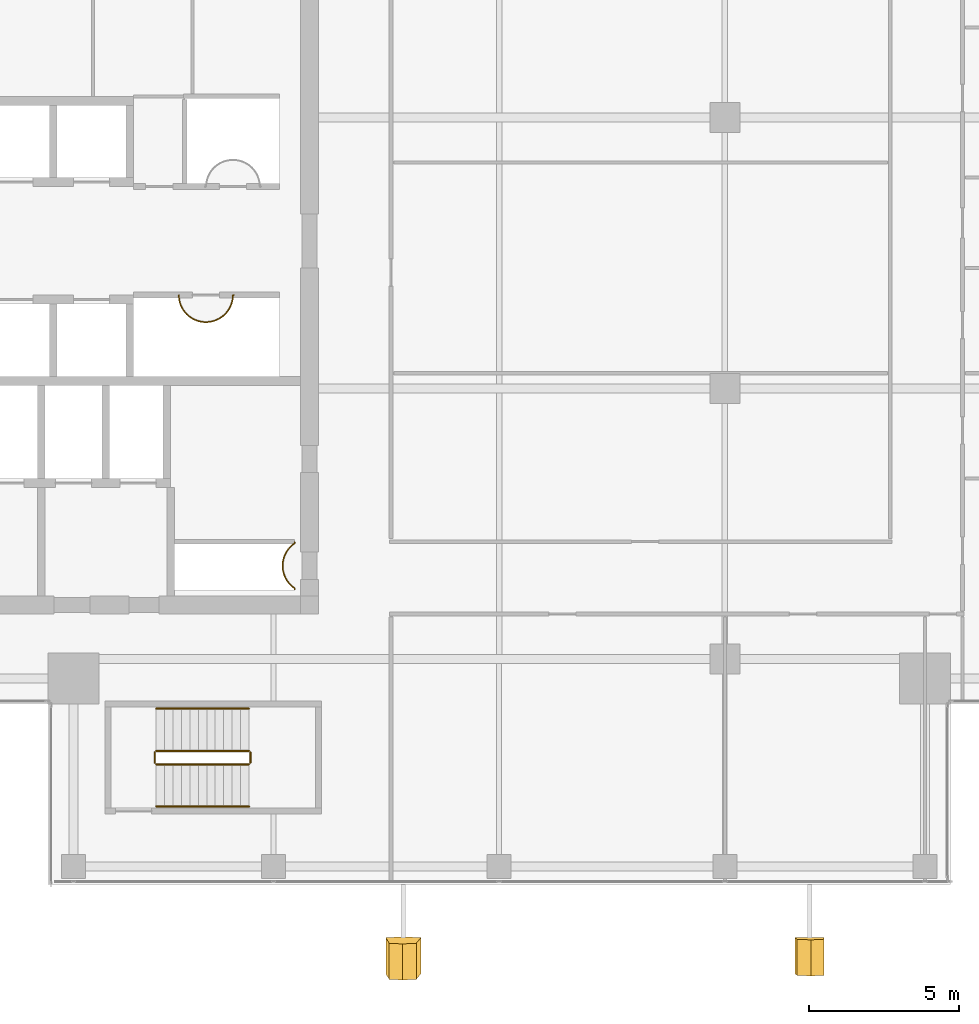
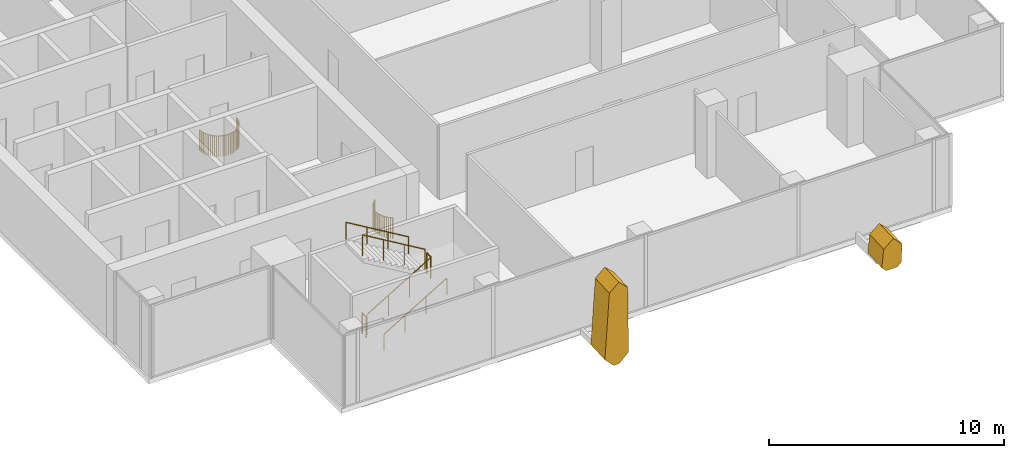
# One storey, part 26 of 28: 8 railings, 2 coverings.
"""IFC4 building model written with IfcOpenShell, lengths in metres."""

from ifc_helpers import new_model, si_unit, direction, frame, origin, origin_2d, place, context, subcontext, project, spatial, polyline, circle, outline, extrude, source, transform, mapped, material, layer, layer_set, type_object, element, save


model = new_model("IFC4")

# Units and contexts
model_context = context("Model", 3, precision=1e-05, world=origin(), true_north=direction((0.0, 1.0)))
body_context = subcontext(model_context, "Body", "Model", "MODEL_VIEW")
ifc_project = project(units=[si_unit("LENGTHUNIT", "METRE"), si_unit("AREAUNIT", "SQUARE_METRE"), si_unit("VOLUMEUNIT", "CUBIC_METRE"), si_unit("PLANEANGLEUNIT", "RADIAN"), si_unit("MASSUNIT", "GRAM", prefix="KILO")], contexts=[model_context])

# Site, building, storey
site_placement = place(None, origin())
site = spatial("IfcSite", under=ifc_project, at=site_placement, CompositionType="ELEMENT")
building_placement = place(site_placement, origin())
building = spatial("IfcBuilding", under=site, at=building_placement, Name="Khomas Fold Tower", CompositionType="ELEMENT")
storey_placement = place(building_placement, frame((0.0, 0.0, 298.199951171875)))
storey = spatial("IfcBuildingStorey", under=building, at=storey_placement, Name="L67", CompositionType="ELEMENT", Elevation=298.199951171875)

# Coverings
ifc_material_1 = material(Name="Natural stone cladding", Category="masonry")
ifc_layer = layer(ifc_material_1, 1.199951171875)
ifc_layer_set = layer_set([ifc_layer], Name="Natural stone cladding")
covering_type = type_object("IfcCoveringType", Name="SK-Karibib marble stone panel", PredefinedType="CLADDING", material=ifc_layer_set)
covering_1_placement = place(storey_placement, frame((23.79248046875, 4.029296875, 4.429931640625), z_axis=(-4.988375e-06, 0.998630546255, 0.052316651866), x_axis=(0.723436336473, 0.036122554512, -0.68944544971)))
element("IfcCovering", 1, at=covering_1_placement, inside=storey, type_object=covering_type, Name="OUTER SKIN leaf L67 SS06-1", PredefinedType="CLADDING", context=body_context, shape_type="SweptSolid", body=[
    extrude(outline(polyline([(0.0, 0.0), (0.6246635326342458, 0.0), (3.174430042252059, 2.452915026354553), (3.1735005502021334, 3.1033211575790123), (2.9820442541237004, 3.286032082707687), (2.335335241826506, 3.2601023937827085), (-0.022453409671210123, 0.6243157156417014), (0.0, 0.0)])), origin(), (0.0, 0.0, -1.0), 1.199951171875),
])
covering_2_placement = place(storey_placement, frame((36.901123046875, 4.185546875, 1.449462890625), z_axis=(2.607305e-05, 0.998633894051, 0.052252703022), x_axis=(0.742214364043, -0.035037129836, 0.669246021536)))
element("IfcCovering", 2, at=covering_2_placement, inside=storey, type_object=covering_type, Name="OUTER SKIN leaf L67 SS12-2", PredefinedType="CLADDING", context=body_context, shape_type="SweptSolid", body=[
    extrude(outline(polyline([(0.0, 0.0), (0.6256352512276404, 0.0), (0.6463852011137029, 0.6254742231553949), (-0.0035541673697553344, 1.3452911422729772), (-0.28614514695270443, 1.3599023908330456), (-0.6943992881119926, 0.9912802681351525), (-0.6994167997611737, 0.675159787864991), (0.0, 0.0)])), origin(), (0.0, 0.0, -1.0), 1.199951171875),
])

# Railings
ifc_material_2 = material(Name="Steel balustrade", Category="steel")
railing_type_1 = type_object("IfcRailingType", Name="Stair guard", PredefinedType="GUARDRAIL", material=ifc_material_2)
shared_shape_1 = source(origin(), body_context, "Body", "SweptSolid", [
    extrude(circle(Radius=0.02392578125, at=origin_2d()), frame((0.0, 0.0, 1.076171875), z_axis=(0.0, 1.0, 0.0), x_axis=(-1.0, 0.0, 0.0)), (0.0, 0.0, 1.0), 0.349853515625),
    extrude(circle(Radius=0.02099609375, at=origin_2d()), origin(), (0.0, 0.0, 1.0), 1.052001953125),
    extrude(circle(Radius=0.02099609375, at=origin_2d()), frame((0.0, 0.349853515625, 0.0)), (0.0, 0.0, 1.0), 1.052001953125),
])
for number, where, name in (
    (3, (18.72998046875, 10.050048828125, 2.0), "L67 ST2 stair guard 2"),
    (4, (15.550048828125, 10.050048828125, 0.0), "L67 ST2 stair guard 4"),
):
    element("IfcRailing", number, at=place(storey_placement, frame(where)), inside=storey, type_object=railing_type_1, Name=name, PredefinedType="GUARDRAIL", context=body_context, shape_type="MappedRepresentation", body=[
        mapped(shared_shape_1, transform((0.0, 0.0, 0.0))),
    ])
shared_shape_2 = source(origin(), body_context, "Body", "SweptSolid", [
    extrude(circle(Radius=0.02392578125, at=origin_2d()), frame((0.0, 0.0, 1.076171875), z_axis=(0.859290745958, 0.0, 0.51148745235), x_axis=(0.0, 1.0, 0.0)), (0.0, 0.0, 1.0), 3.584228515625),
    extrude(circle(Radius=0.02099609375, at=origin_2d()), origin(), (0.0, 0.0, 1.0), 1.052001953125),
    extrude(circle(Radius=0.02099609375, at=origin_2d()), frame((1.026611328125, 0.0, 0.611083984375)), (0.0, 0.0, 1.0), 1.052001953125),
    extrude(circle(Radius=0.02099609375, at=origin_2d()), frame((2.05322265625, 0.0, 1.22216796875)), (0.0, 0.0, 1.0), 1.052001953125),
    extrude(circle(Radius=0.02099609375, at=origin_2d()), frame((3.079833984375, 0.0, 1.833251953125)), (0.0, 0.0, 1.0), 1.052001953125),
])
railing_1_placement = place(storey_placement, frame((15.60009765625, 10.0, 0.166748046875)))
element("IfcRailing", 5, at=railing_1_placement, inside=storey, type_object=railing_type_1, Name="L67 ST2 stair guard 1", PredefinedType="GUARDRAIL", context=body_context, shape_type="MappedRepresentation", body=[
    mapped(shared_shape_2, transform((0.0, 0.0, 0.0))),
])
shared_shape_3 = source(origin(), body_context, "Body", "SweptSolid", [
    extrude(circle(Radius=0.02392578125, at=origin_2d()), frame((0.0, 0.0, 1.076171875), z_axis=(-0.859290745958, 0.0, 0.51148745235), x_axis=(0.0, -1.0, 0.0)), (0.0, 0.0, 1.0), 3.584228515625),
    extrude(circle(Radius=0.02099609375, at=origin_2d()), origin(), (0.0, 0.0, 1.0), 1.052001953125),
    extrude(circle(Radius=0.02099609375, at=origin_2d()), frame((-1.026611328125, 0.0, 0.611083984375)), (0.0, 0.0, 1.0), 1.052001953125),
    extrude(circle(Radius=0.02099609375, at=origin_2d()), frame((-2.05322265625, 0.0, 1.22216796875)), (0.0, 0.0, 1.0), 1.052001953125),
    extrude(circle(Radius=0.02099609375, at=origin_2d()), frame((-3.079833984375, 0.0, 1.833251953125)), (0.0, 0.0, 1.0), 1.052001953125),
])
railing_2_placement = place(storey_placement, frame((18.679931640625, 10.449951171875, 2.166748046875)))
element("IfcRailing", 6, at=railing_2_placement, inside=storey, type_object=railing_type_1, Name="L67 ST2 stair guard 3", PredefinedType="GUARDRAIL", context=body_context, shape_type="MappedRepresentation", body=[
    mapped(shared_shape_3, transform((0.0, 0.0, 0.0))),
])
ifc_material_3 = material(Name="Steel handrail", Category="steel")
railing_type_2 = type_object("IfcRailingType", Name="Stair handrail", PredefinedType="HANDRAIL", material=ifc_material_3)
shared_shape_4 = source(origin(), body_context, "Body", "SweptSolid", [
    extrude(circle(Radius=0.02392578125, at=origin_2d()), frame((0.0, 0.0, 0.8759765625), z_axis=(0.859290745958, 0.0, 0.51148745235), x_axis=(0.0, 1.0, 0.0)), (0.0, 0.0, 1.0), 3.584228515625),
    extrude(circle(Radius=0.02099609375, at=origin_2d()), origin(), (0.0, 0.0, 1.0), 0.851806640625),
    extrude(circle(Radius=0.02099609375, at=origin_2d()), frame((1.026611328125, 0.0, 0.611083984375)), (0.0, 0.0, 1.0), 0.851806640625),
    extrude(circle(Radius=0.02099609375, at=origin_2d()), frame((2.05322265625, 0.0, 1.22216796875)), (0.0, 0.0, 1.0), 0.851806640625),
    extrude(circle(Radius=0.02099609375, at=origin_2d()), frame((3.079833984375, 0.0, 1.833251953125)), (0.0, 0.0, 1.0), 0.851806640625),
])
railing_3_placement = place(storey_placement, frame((15.60009765625, 8.60009765625, 0.166748046875)))
element("IfcRailing", 7, at=railing_3_placement, inside=storey, type_object=railing_type_2, Name="L67 ST2 stair handrail 1", PredefinedType="HANDRAIL", context=body_context, shape_type="MappedRepresentation", body=[
    mapped(shared_shape_4, transform((0.0, 0.0, 0.0))),
])
shared_shape_5 = source(origin(), body_context, "Body", "SweptSolid", [
    extrude(circle(Radius=0.02392578125, at=origin_2d()), frame((0.0, 0.0, 0.8759765625), z_axis=(-0.859290745958, 0.0, 0.51148745235), x_axis=(0.0, -1.0, 0.0)), (0.0, 0.0, 1.0), 3.584228515625),
    extrude(circle(Radius=0.02099609375, at=origin_2d()), origin(), (0.0, 0.0, 1.0), 0.851806640625),
    extrude(circle(Radius=0.02099609375, at=origin_2d()), frame((-1.026611328125, 0.0, 0.611083984375)), (0.0, 0.0, 1.0), 0.851806640625),
    extrude(circle(Radius=0.02099609375, at=origin_2d()), frame((-2.05322265625, 0.0, 1.22216796875)), (0.0, 0.0, 1.0), 0.851806640625),
    extrude(circle(Radius=0.02099609375, at=origin_2d()), frame((-3.079833984375, 0.0, 1.833251953125)), (0.0, 0.0, 1.0), 0.851806640625),
])
railing_4_placement = place(storey_placement, frame((18.679931640625, 11.85009765625, 2.166748046875)))
element("IfcRailing", 8, at=railing_4_placement, inside=storey, type_object=railing_type_2, Name="L67 ST2 stair handrail 2", PredefinedType="HANDRAIL", context=body_context, shape_type="MappedRepresentation", body=[
    mapped(shared_shape_5, transform((0.0, 0.0, 0.0))),
])
ifc_material_4 = material(Name="Steel balustrade", Category="steel")
railing_type_3 = type_object("IfcRailingType", Name="Shaft guard", PredefinedType="GUARDRAIL", material=ifc_material_4)
shared_shape_6 = source(origin(), body_context, "Body", "SweptSolid", [
    extrude(circle(Radius=0.02490234375, at=origin_2d()), frame((0.0, 0.0, 1.0751953125), z_axis=(0.046909628002, -0.998899137451, 0.0), x_axis=(0.998899137451, 0.046909628002, 0.0)), (0.0, 0.0, 1.0), 0.08837890625),
    extrude(circle(Radius=0.02490234375, at=origin_2d()), frame((0.004150390625, -0.08837890625, 1.0751953125), z_axis=(0.146448518259, -0.989218293148, 0.0), x_axis=(0.989218293148, 0.146448518259, 0.0)), (0.0, 0.0, 1.0), 0.08837890625),
    extrude(circle(Radius=0.02490234375, at=origin_2d()), frame((0.01708984375, -0.17578125, 1.0751953125), z_axis=(0.245783216939, -0.969324821859, 0.0), x_axis=(0.969324821859, 0.245783216939, 0.0)), (0.0, 0.0, 1.0), 0.08837890625),
    extrude(circle(Radius=0.02490234375, at=origin_2d()), frame((0.038818359375, -0.261474609375, 1.0751953125), z_axis=(0.335282981086, -0.942117467514, 0.0), x_axis=(0.942117467514, 0.335282981086, 0.0)), (0.0, 0.0, 1.0), 0.088134765625),
    extrude(circle(Radius=0.02490234375, at=origin_2d()), frame((0.068359375, -0.344482421875, 1.0751953125), z_axis=(0.428323905606, -0.903625271828, 0.0), x_axis=(0.903625271828, 0.428323905606, 0.0)), (0.0, 0.0, 1.0), 0.08837890625),
    extrude(circle(Radius=0.02490234375, at=origin_2d()), frame((0.106201171875, -0.42431640625, 1.0751953125), z_axis=(0.514495755428, -0.857492925713, 0.0), x_axis=(0.857492925713, 0.514495755428, 0.0)), (0.0, 0.0, 1.0), 0.08837890625),
    extrude(circle(Radius=0.02490234375, at=origin_2d()), frame((0.151611328125, -0.5, 1.0751953125), z_axis=(0.594235623595, -0.804291006819, 0.0), x_axis=(0.804291006819, 0.594235623595, 0.0)), (0.0, 0.0, 1.0), 0.08837890625),
    extrude(circle(Radius=0.02490234375, at=origin_2d()), frame((0.2041015625, -0.571044921875, 1.0751953125), z_axis=(0.671709119666, -0.740814996175, 0.0), x_axis=(0.740814996175, 0.671709119666, 0.0)), (0.0, 0.0, 1.0), 0.08837890625),
    extrude(circle(Radius=0.02490234375, at=origin_2d()), frame((0.263427734375, -0.636474609375, 1.0751953125), z_axis=(0.740814996175, -0.671709119666, 0.0), x_axis=(0.671709119666, 0.740814996175, 0.0)), (0.0, 0.0, 1.0), 0.08837890625),
    extrude(circle(Radius=0.02490234375, at=origin_2d()), frame((0.328857421875, -0.69580078125, 1.0751953125), z_axis=(0.804291006819, -0.594235623595, 0.0), x_axis=(0.594235623595, 0.804291006819, 0.0)), (0.0, 0.0, 1.0), 0.08837890625),
    extrude(circle(Radius=0.02490234375, at=origin_2d()), frame((0.39990234375, -0.748291015625, 1.0751953125), z_axis=(0.857492925713, -0.514495755428, 0.0), x_axis=(0.514495755428, 0.857492925713, 0.0)), (0.0, 0.0, 1.0), 0.08837890625),
    extrude(circle(Radius=0.02490234375, at=origin_2d()), frame((0.4755859375, -0.793701171875, 1.0751953125), z_axis=(0.903625271828, -0.428323905606, 0.0), x_axis=(0.428323905606, 0.903625271828, 0.0)), (0.0, 0.0, 1.0), 0.08837890625),
    extrude(circle(Radius=0.02490234375, at=origin_2d()), frame((0.555419921875, -0.83154296875, 1.0751953125), z_axis=(0.941554356589, -0.336861089454, 0.0), x_axis=(0.336861089454, 0.941554356589, 0.0)), (0.0, 0.0, 1.0), 0.08837890625),
    extrude(circle(Radius=0.02490234375, at=origin_2d()), frame((0.638671875, -0.861328125, 1.0751953125), z_axis=(0.969979724887, -0.243185799972, 0.0), x_axis=(0.243185799972, 0.969979724887, 0.0)), (0.0, 0.0, 1.0), 0.08837890625),
    extrude(circle(Radius=0.02490234375, at=origin_2d()), frame((0.724365234375, -0.8828125, 1.0751953125), z_axis=(0.989218293148, -0.146448518259, 0.0), x_axis=(0.146448518259, 0.989218293148, 0.0)), (0.0, 0.0, 1.0), 0.08837890625),
    extrude(circle(Radius=0.02490234375, at=origin_2d()), frame((0.811767578125, -0.895751953125, 1.0751953125), z_axis=(0.998759228712, -0.049799629132, 0.0), x_axis=(0.049799629132, 0.998759228712, 0.0)), (0.0, 0.0, 1.0), 0.088134765625),
    extrude(circle(Radius=0.02490234375, at=origin_2d()), frame((0.89990234375, -0.900146484375, 1.0751953125), z_axis=(0.998759228712, 0.049799629132, 0.0), x_axis=(-0.049799629132, 0.998759228712, 0.0)), (0.0, 0.0, 1.0), 0.088134765625),
    extrude(circle(Radius=0.02490234375, at=origin_2d()), frame((0.988037109375, -0.895751953125, 1.0751953125), z_axis=(0.989218293148, 0.146448518259, 0.0), x_axis=(-0.146448518259, 0.989218293148, 0.0)), (0.0, 0.0, 1.0), 0.08837890625),
    extrude(circle(Radius=0.02490234375, at=origin_2d()), frame((1.075439453125, -0.8828125, 1.0751953125), z_axis=(0.969979724887, 0.243185799972, 0.0), x_axis=(-0.243185799972, 0.969979724887, 0.0)), (0.0, 0.0, 1.0), 0.08837890625),
    extrude(circle(Radius=0.02490234375, at=origin_2d()), frame((1.1611328125, -0.861328125, 1.0751953125), z_axis=(0.941554356589, 0.336861089454, 0.0), x_axis=(-0.336861089454, 0.941554356589, 0.0)), (0.0, 0.0, 1.0), 0.08837890625),
    extrude(circle(Radius=0.02490234375, at=origin_2d()), frame((1.244384765625, -0.83154296875, 1.0751953125), z_axis=(0.903625271828, 0.428323905606, 0.0), x_axis=(-0.428323905606, 0.903625271828, 0.0)), (0.0, 0.0, 1.0), 0.08837890625),
    extrude(circle(Radius=0.02490234375, at=origin_2d()), frame((1.32421875, -0.793701171875, 1.0751953125), z_axis=(0.857492925713, 0.514495755428, 0.0), x_axis=(-0.514495755428, 0.857492925713, 0.0)), (0.0, 0.0, 1.0), 0.08837890625),
    extrude(circle(Radius=0.02490234375, at=origin_2d()), frame((1.39990234375, -0.748291015625, 1.0751953125), z_axis=(0.804291006819, 0.594235623595, 0.0), x_axis=(-0.594235623595, 0.804291006819, 0.0)), (0.0, 0.0, 1.0), 0.08837890625),
    extrude(circle(Radius=0.02490234375, at=origin_2d()), frame((1.470947265625, -0.69580078125, 1.0751953125), z_axis=(0.740814996175, 0.671709119666, 0.0), x_axis=(-0.671709119666, 0.740814996175, 0.0)), (0.0, 0.0, 1.0), 0.08837890625),
    extrude(circle(Radius=0.02490234375, at=origin_2d()), frame((1.536376953125, -0.636474609375, 1.0751953125), z_axis=(0.671709119666, 0.740814996175, 0.0), x_axis=(-0.740814996175, 0.671709119666, 0.0)), (0.0, 0.0, 1.0), 0.08837890625),
    extrude(circle(Radius=0.02490234375, at=origin_2d()), frame((1.595703125, -0.571044921875, 1.0751953125), z_axis=(0.594235623595, 0.804291006819, 0.0), x_axis=(-0.804291006819, 0.594235623595, 0.0)), (0.0, 0.0, 1.0), 0.08837890625),
    extrude(circle(Radius=0.02490234375, at=origin_2d()), frame((1.648193359375, -0.5, 1.0751953125), z_axis=(0.514495755428, 0.857492925713, 0.0), x_axis=(-0.857492925713, 0.514495755428, 0.0)), (0.0, 0.0, 1.0), 0.08837890625),
    extrude(circle(Radius=0.02490234375, at=origin_2d()), frame((1.693603515625, -0.42431640625, 1.0751953125), z_axis=(0.428323905606, 0.903625271828, 0.0), x_axis=(-0.903625271828, 0.428323905606, 0.0)), (0.0, 0.0, 1.0), 0.08837890625),
    extrude(circle(Radius=0.02490234375, at=origin_2d()), frame((1.7314453125, -0.344482421875, 1.0751953125), z_axis=(0.335282981086, 0.942117467514, 0.0), x_axis=(-0.942117467514, 0.335282981086, 0.0)), (0.0, 0.0, 1.0), 0.088134765625),
    extrude(circle(Radius=0.02490234375, at=origin_2d()), frame((1.760986328125, -0.261474609375, 1.0751953125), z_axis=(0.245783216939, 0.969324821859, 0.0), x_axis=(-0.969324821859, 0.245783216939, 0.0)), (0.0, 0.0, 1.0), 0.08837890625),
    extrude(circle(Radius=0.02490234375, at=origin_2d()), frame((1.78271484375, -0.17578125, 1.0751953125), z_axis=(0.146448518259, 0.989218293148, 0.0), x_axis=(-0.989218293148, 0.146448518259, 0.0)), (0.0, 0.0, 1.0), 0.08837890625),
    extrude(circle(Radius=0.02490234375, at=origin_2d()), frame((1.795654296875, -0.08837890625, 1.0751953125), z_axis=(0.046909628002, 0.998899137451, 0.0), x_axis=(-0.998899137451, 0.046909628002, 0.0)), (0.0, 0.0, 1.0), 0.08837890625),
    extrude(circle(Radius=0.02490234375, at=origin_2d()), frame((1.7998046875, 0.0, 1.0751953125), z_axis=(1.0, 0.0, 0.0), x_axis=(0.0, 1.0, 0.0)), (0.0, 0.0, 1.0), 0.030029296875),
    extrude(circle(Radius=0.02001953125, at=origin_2d()), origin(), (0.0, 0.0, 1.0), 1.050048828125),
    extrude(circle(Radius=0.02001953125, at=origin_2d()), frame((0.004150390625, -0.08837890625, 0.0)), (0.0, 0.0, 1.0), 1.050048828125),
    extrude(circle(Radius=0.02001953125, at=origin_2d()), frame((0.01708984375, -0.17578125, 0.0)), (0.0, 0.0, 1.0), 1.050048828125),
    extrude(circle(Radius=0.02001953125, at=origin_2d()), frame((0.038818359375, -0.261474609375, 0.0)), (0.0, 0.0, 1.0), 1.050048828125),
    extrude(circle(Radius=0.02001953125, at=origin_2d()), frame((0.068359375, -0.344482421875, 0.0)), (0.0, 0.0, 1.0), 1.050048828125),
    extrude(circle(Radius=0.02001953125, at=origin_2d()), frame((0.106201171875, -0.42431640625, 0.0)), (0.0, 0.0, 1.0), 1.050048828125),
    extrude(circle(Radius=0.02001953125, at=origin_2d()), frame((0.151611328125, -0.5, 0.0)), (0.0, 0.0, 1.0), 1.050048828125),
    extrude(circle(Radius=0.02001953125, at=origin_2d()), frame((0.2041015625, -0.571044921875, 0.0)), (0.0, 0.0, 1.0), 1.050048828125),
    extrude(circle(Radius=0.02001953125, at=origin_2d()), frame((0.263427734375, -0.636474609375, 0.0)), (0.0, 0.0, 1.0), 1.050048828125),
    extrude(circle(Radius=0.02001953125, at=origin_2d()), frame((0.328857421875, -0.69580078125, 0.0)), (0.0, 0.0, 1.0), 1.050048828125),
    extrude(circle(Radius=0.02001953125, at=origin_2d()), frame((0.39990234375, -0.748291015625, 0.0)), (0.0, 0.0, 1.0), 1.050048828125),
    extrude(circle(Radius=0.02001953125, at=origin_2d()), frame((0.4755859375, -0.793701171875, 0.0)), (0.0, 0.0, 1.0), 1.050048828125),
    extrude(circle(Radius=0.02001953125, at=origin_2d()), frame((0.555419921875, -0.83154296875, 0.0)), (0.0, 0.0, 1.0), 1.050048828125),
    extrude(circle(Radius=0.02001953125, at=origin_2d()), frame((0.638671875, -0.861328125, 0.0)), (0.0, 0.0, 1.0), 1.050048828125),
    extrude(circle(Radius=0.02001953125, at=origin_2d()), frame((0.724365234375, -0.8828125, 0.0)), (0.0, 0.0, 1.0), 1.050048828125),
    extrude(circle(Radius=0.02001953125, at=origin_2d()), frame((0.811767578125, -0.895751953125, 0.0)), (0.0, 0.0, 1.0), 1.050048828125),
    extrude(circle(Radius=0.02001953125, at=origin_2d()), frame((0.89990234375, -0.900146484375, 0.0)), (0.0, 0.0, 1.0), 1.050048828125),
    extrude(circle(Radius=0.02001953125, at=origin_2d()), frame((0.988037109375, -0.895751953125, 0.0)), (0.0, 0.0, 1.0), 1.050048828125),
    extrude(circle(Radius=0.02001953125, at=origin_2d()), frame((1.075439453125, -0.8828125, 0.0)), (0.0, 0.0, 1.0), 1.050048828125),
    extrude(circle(Radius=0.02001953125, at=origin_2d()), frame((1.1611328125, -0.861328125, 0.0)), (0.0, 0.0, 1.0), 1.050048828125),
    extrude(circle(Radius=0.02001953125, at=origin_2d()), frame((1.244384765625, -0.83154296875, 0.0)), (0.0, 0.0, 1.0), 1.050048828125),
    extrude(circle(Radius=0.02001953125, at=origin_2d()), frame((1.32421875, -0.793701171875, 0.0)), (0.0, 0.0, 1.0), 1.050048828125),
    extrude(circle(Radius=0.02001953125, at=origin_2d()), frame((1.39990234375, -0.748291015625, 0.0)), (0.0, 0.0, 1.0), 1.050048828125),
    extrude(circle(Radius=0.02001953125, at=origin_2d()), frame((1.470947265625, -0.69580078125, 0.0)), (0.0, 0.0, 1.0), 1.050048828125),
    extrude(circle(Radius=0.02001953125, at=origin_2d()), frame((1.536376953125, -0.636474609375, 0.0)), (0.0, 0.0, 1.0), 1.050048828125),
    extrude(circle(Radius=0.02001953125, at=origin_2d()), frame((1.595703125, -0.571044921875, 0.0)), (0.0, 0.0, 1.0), 1.050048828125),
    extrude(circle(Radius=0.02001953125, at=origin_2d()), frame((1.648193359375, -0.5, 0.0)), (0.0, 0.0, 1.0), 1.050048828125),
    extrude(circle(Radius=0.02001953125, at=origin_2d()), frame((1.693603515625, -0.42431640625, 0.0)), (0.0, 0.0, 1.0), 1.050048828125),
    extrude(circle(Radius=0.02001953125, at=origin_2d()), frame((1.7314453125, -0.344482421875, 0.0)), (0.0, 0.0, 1.0), 1.050048828125),
    extrude(circle(Radius=0.02001953125, at=origin_2d()), frame((1.760986328125, -0.261474609375, 0.0)), (0.0, 0.0, 1.0), 1.050048828125),
    extrude(circle(Radius=0.02001953125, at=origin_2d()), frame((1.78271484375, -0.17578125, 0.0)), (0.0, 0.0, 1.0), 1.050048828125),
    extrude(circle(Radius=0.02001953125, at=origin_2d()), frame((1.795654296875, -0.08837890625, 0.0)), (0.0, 0.0, 1.0), 1.050048828125),
    extrude(circle(Radius=0.02001953125, at=origin_2d()), frame((1.7998046875, 0.0, 0.0)), (0.0, 0.0, 1.0), 1.050048828125),
    extrude(circle(Radius=0.02001953125, at=origin_2d()), frame((1.829833984375, 0.0, 0.0)), (0.0, 0.0, 1.0), 1.050048828125),
])
railing_5_placement = place(storey_placement, frame((16.35009765625, 25.60009765625, 0.0)))
element("IfcRailing", 9, at=railing_5_placement, inside=storey, type_object=railing_type_3, Name="Shaft guard L67 2", PredefinedType="GUARDRAIL", context=body_context, shape_type="MappedRepresentation", body=[
    mapped(shared_shape_6, transform((0.0, 0.0, 0.0))),
])
shared_shape_7 = source(origin(), body_context, "Body", "SweptSolid", [
    extrude(circle(Radius=0.02490234375, at=origin_2d()), frame((0.0, 0.0, 1.0751953125), z_axis=(0.0, -1.0, 0.0), x_axis=(1.0, 0.0, 0.0)), (0.0, 0.0, 1.0), 0.034912109375),
    extrude(circle(Radius=0.02490234375, at=origin_2d()), frame((0.0, -0.034912109375, 1.0751953125), z_axis=(-0.802970227885, -0.596019138224, 0.0), x_axis=(0.596019138224, -0.802970227885, 0.0)), (0.0, 0.0, 1.0), 0.08837890625),
    extrude(circle(Radius=0.02490234375, at=origin_2d()), frame((-0.071044921875, -0.087646484375, 1.0751953125), z_axis=(-0.739563952942, -0.673086294251, 0.0), x_axis=(0.673086294251, -0.739563952942, 0.0)), (0.0, 0.0, 1.0), 0.088134765625),
    extrude(circle(Radius=0.02490234375, at=origin_2d()), frame((-0.13623046875, -0.14697265625, 1.0751953125), z_axis=(-0.671709119666, -0.740814996175, 0.0), x_axis=(0.740814996175, -0.671709119666, 0.0)), (0.0, 0.0, 1.0), 0.08837890625),
    extrude(circle(Radius=0.02490234375, at=origin_2d()), frame((-0.195556640625, -0.21240234375, 1.0751953125), z_axis=(-0.597341843489, -0.801986734315, 0.0), x_axis=(0.801986734315, -0.597341843489, 0.0)), (0.0, 0.0, 1.0), 0.08837890625),
    extrude(circle(Radius=0.02490234375, at=origin_2d()), frame((-0.248291015625, -0.283203125, 1.0751953125), z_axis=(-0.514495755428, -0.857492925713, 0.0), x_axis=(0.857492925713, -0.514495755428, 0.0)), (0.0, 0.0, 1.0), 0.08837890625),
    extrude(circle(Radius=0.02490234375, at=origin_2d()), frame((-0.293701171875, -0.35888671875, 1.0751953125), z_axis=(-0.427256721383, -0.904130352346, 0.0), x_axis=(0.904130352346, -0.427256721383, 0.0)), (0.0, 0.0, 1.0), 0.088623046875),
    extrude(circle(Radius=0.02490234375, at=origin_2d()), frame((-0.33154296875, -0.43896484375, 1.0751953125), z_axis=(-0.335282981086, -0.942117467514, 0.0), x_axis=(0.942117467514, -0.335282981086, 0.0)), (0.0, 0.0, 1.0), 0.088134765625),
    extrude(circle(Radius=0.02490234375, at=origin_2d()), frame((-0.361083984375, -0.52197265625, 1.0751953125), z_axis=(-0.243185799972, -0.969979724887, 0.0), x_axis=(0.969979724887, -0.243185799972, 0.0)), (0.0, 0.0, 1.0), 0.08837890625),
    extrude(circle(Radius=0.02490234375, at=origin_2d()), frame((-0.382568359375, -0.607666015625, 1.0751953125), z_axis=(-0.149150785005, -0.988814463553, 0.0), x_axis=(0.988814463553, -0.149150785005, 0.0)), (0.0, 0.0, 1.0), 0.08837890625),
    extrude(circle(Radius=0.02490234375, at=origin_2d()), frame((-0.395751953125, -0.695068359375, 1.0751953125), z_axis=(-0.047039284441, -0.99889304018, 0.0), x_axis=(0.99889304018, -0.047039284441, 0.0)), (0.0, 0.0, 1.0), 0.088134765625),
    extrude(circle(Radius=0.02490234375, at=origin_2d()), frame((-0.39990234375, -0.783203125, 1.0751953125), z_axis=(0.046909628002, -0.998899137451, 0.0), x_axis=(0.998899137451, 0.046909628002, 0.0)), (0.0, 0.0, 1.0), 0.08837890625),
    extrude(circle(Radius=0.02490234375, at=origin_2d()), frame((-0.395751953125, -0.87158203125, 1.0751953125), z_axis=(0.149150785005, -0.988814463553, 0.0), x_axis=(0.988814463553, 0.149150785005, 0.0)), (0.0, 0.0, 1.0), 0.08837890625),
    extrude(circle(Radius=0.02490234375, at=origin_2d()), frame((-0.382568359375, -0.958984375, 1.0751953125), z_axis=(0.243185799972, -0.969979724887, 0.0), x_axis=(0.969979724887, 0.243185799972, 0.0)), (0.0, 0.0, 1.0), 0.08837890625),
    extrude(circle(Radius=0.02490234375, at=origin_2d()), frame((-0.361083984375, -1.044677734375, 1.0751953125), z_axis=(0.335282981086, -0.942117467514, 0.0), x_axis=(0.942117467514, 0.335282981086, 0.0)), (0.0, 0.0, 1.0), 0.088134765625),
    extrude(circle(Radius=0.02490234375, at=origin_2d()), frame((-0.33154296875, -1.127685546875, 1.0751953125), z_axis=(0.428323905606, -0.903625271828, 0.0), x_axis=(0.903625271828, 0.428323905606, 0.0)), (0.0, 0.0, 1.0), 0.08837890625),
    extrude(circle(Radius=0.02490234375, at=origin_2d()), frame((-0.293701171875, -1.20751953125, 1.0751953125), z_axis=(0.514495755428, -0.857492925713, 0.0), x_axis=(0.857492925713, 0.514495755428, 0.0)), (0.0, 0.0, 1.0), 0.08837890625),
    extrude(circle(Radius=0.02490234375, at=origin_2d()), frame((-0.248291015625, -1.283203125, 1.0751953125), z_axis=(0.596019138224, -0.802970227885, 0.0), x_axis=(0.802970227885, 0.596019138224, 0.0)), (0.0, 0.0, 1.0), 0.08837890625),
    extrude(circle(Radius=0.02490234375, at=origin_2d()), frame((-0.195556640625, -1.354248046875, 1.0751953125), z_axis=(0.671709119666, -0.740814996175, 0.0), x_axis=(0.740814996175, 0.671709119666, 0.0)), (0.0, 0.0, 1.0), 0.08837890625),
    extrude(circle(Radius=0.02490234375, at=origin_2d()), frame((-0.13623046875, -1.419677734375, 1.0751953125), z_axis=(0.739563952942, -0.673086294251, 0.0), x_axis=(0.673086294251, 0.739563952942, 0.0)), (0.0, 0.0, 1.0), 0.088134765625),
    extrude(circle(Radius=0.02490234375, at=origin_2d()), frame((-0.071044921875, -1.47900390625, 1.0751953125), z_axis=(0.804291006819, -0.594235623595, 0.0), x_axis=(0.594235623595, 0.804291006819, 0.0)), (0.0, 0.0, 1.0), 0.08837890625),
    extrude(circle(Radius=0.02490234375, at=origin_2d()), frame((0.0, -1.531494140625, 1.0751953125), z_axis=(0.0, -1.0, 0.0), x_axis=(1.0, 0.0, 0.0)), (0.0, 0.0, 1.0), 0.03515625),
    extrude(circle(Radius=0.02001953125, at=origin_2d()), origin(), (0.0, 0.0, 1.0), 1.050048828125),
    extrude(circle(Radius=0.02001953125, at=origin_2d()), frame((0.0, -0.034912109375, 0.0)), (0.0, 0.0, 1.0), 1.050048828125),
    extrude(circle(Radius=0.02001953125, at=origin_2d()), frame((-0.071044921875, -0.087646484375, 0.0)), (0.0, 0.0, 1.0), 1.050048828125),
    extrude(circle(Radius=0.02001953125, at=origin_2d()), frame((-0.13623046875, -0.14697265625, 0.0)), (0.0, 0.0, 1.0), 1.050048828125),
    extrude(circle(Radius=0.02001953125, at=origin_2d()), frame((-0.195556640625, -0.21240234375, 0.0)), (0.0, 0.0, 1.0), 1.050048828125),
    extrude(circle(Radius=0.02001953125, at=origin_2d()), frame((-0.248291015625, -0.283203125, 0.0)), (0.0, 0.0, 1.0), 1.050048828125),
    extrude(circle(Radius=0.02001953125, at=origin_2d()), frame((-0.293701171875, -0.35888671875, 0.0)), (0.0, 0.0, 1.0), 1.050048828125),
    extrude(circle(Radius=0.02001953125, at=origin_2d()), frame((-0.33154296875, -0.43896484375, 0.0)), (0.0, 0.0, 1.0), 1.050048828125),
    extrude(circle(Radius=0.02001953125, at=origin_2d()), frame((-0.361083984375, -0.52197265625, 0.0)), (0.0, 0.0, 1.0), 1.050048828125),
    extrude(circle(Radius=0.02001953125, at=origin_2d()), frame((-0.382568359375, -0.607666015625, 0.0)), (0.0, 0.0, 1.0), 1.050048828125),
    extrude(circle(Radius=0.02001953125, at=origin_2d()), frame((-0.395751953125, -0.695068359375, 0.0)), (0.0, 0.0, 1.0), 1.050048828125),
    extrude(circle(Radius=0.02001953125, at=origin_2d()), frame((-0.39990234375, -0.783203125, 0.0)), (0.0, 0.0, 1.0), 1.050048828125),
    extrude(circle(Radius=0.02001953125, at=origin_2d()), frame((-0.395751953125, -0.87158203125, 0.0)), (0.0, 0.0, 1.0), 1.050048828125),
    extrude(circle(Radius=0.02001953125, at=origin_2d()), frame((-0.382568359375, -0.958984375, 0.0)), (0.0, 0.0, 1.0), 1.050048828125),
    extrude(circle(Radius=0.02001953125, at=origin_2d()), frame((-0.361083984375, -1.044677734375, 0.0)), (0.0, 0.0, 1.0), 1.050048828125),
    extrude(circle(Radius=0.02001953125, at=origin_2d()), frame((-0.33154296875, -1.127685546875, 0.0)), (0.0, 0.0, 1.0), 1.050048828125),
    extrude(circle(Radius=0.02001953125, at=origin_2d()), frame((-0.293701171875, -1.20751953125, 0.0)), (0.0, 0.0, 1.0), 1.050048828125),
    extrude(circle(Radius=0.02001953125, at=origin_2d()), frame((-0.248291015625, -1.283203125, 0.0)), (0.0, 0.0, 1.0), 1.050048828125),
    extrude(circle(Radius=0.02001953125, at=origin_2d()), frame((-0.195556640625, -1.354248046875, 0.0)), (0.0, 0.0, 1.0), 1.050048828125),
    extrude(circle(Radius=0.02001953125, at=origin_2d()), frame((-0.13623046875, -1.419677734375, 0.0)), (0.0, 0.0, 1.0), 1.050048828125),
    extrude(circle(Radius=0.02001953125, at=origin_2d()), frame((-0.071044921875, -1.47900390625, 0.0)), (0.0, 0.0, 1.0), 1.050048828125),
    extrude(circle(Radius=0.02001953125, at=origin_2d()), frame((0.0, -1.531494140625, 0.0)), (0.0, 0.0, 1.0), 1.050048828125),
    extrude(circle(Radius=0.02001953125, at=origin_2d()), frame((0.0, -1.566650390625, 0.0)), (0.0, 0.0, 1.0), 1.050048828125),
])
railing_6_placement = place(storey_placement, frame((20.199951171875, 17.38330078125, 0.0)))
element("IfcRailing", 10, at=railing_6_placement, inside=storey, type_object=railing_type_3, Name="Shaft guard L67 1", PredefinedType="GUARDRAIL", context=body_context, shape_type="MappedRepresentation", body=[
    mapped(shared_shape_7, transform((0.0, 0.0, 0.0))),
])

save(model, "model.ifc")
